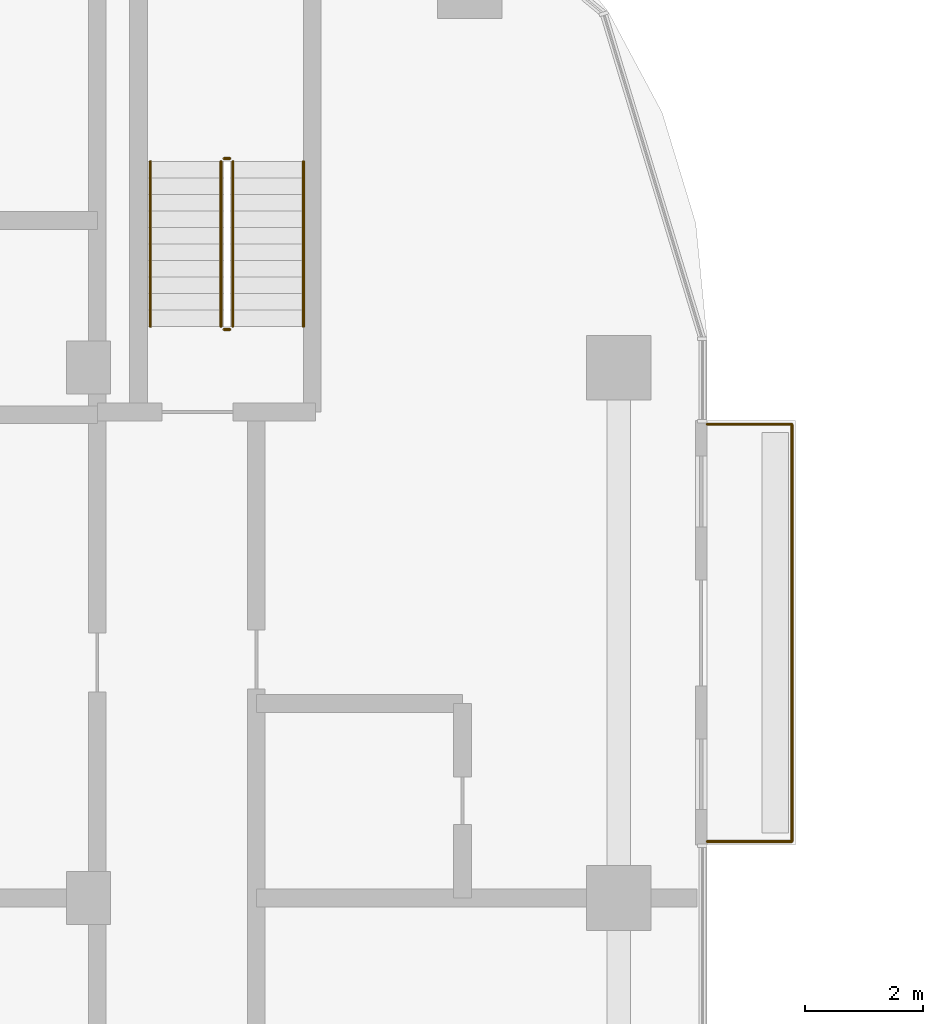
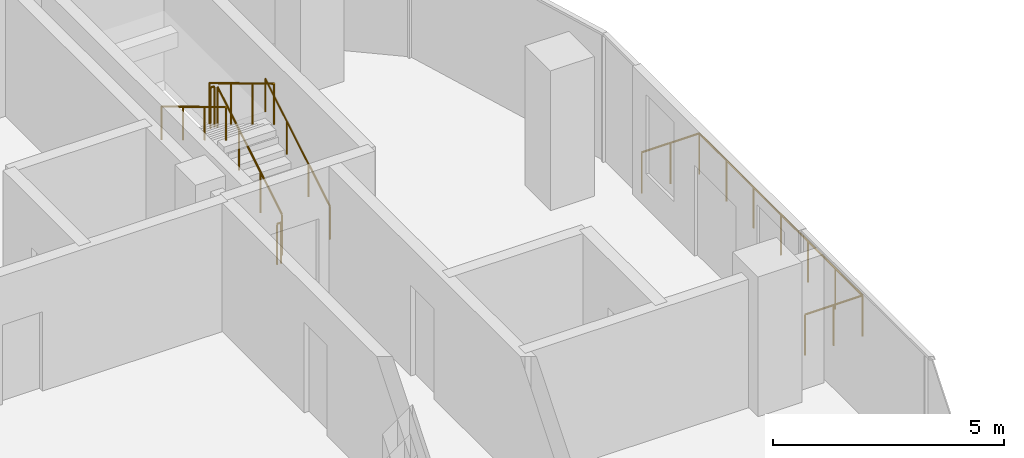
# One storey, part 22 of 22: 7 railings.
"""IFC4 building model written with IfcOpenShell, lengths in metres."""

from ifc_helpers import new_model, si_unit, direction, frame, origin, origin_2d, place, context, subcontext, project, spatial, circle, extrude, material, type_object, element, save


model = new_model("IFC4")

# Units and contexts
model_context = context("Model", 3, precision=1e-05, world=origin(), true_north=direction((0.0, 1.0)))
body_context = subcontext(model_context, "Body", "Model", "MODEL_VIEW")
ifc_project = project(units=[si_unit("LENGTHUNIT", "METRE"), si_unit("AREAUNIT", "SQUARE_METRE"), si_unit("VOLUMEUNIT", "CUBIC_METRE"), si_unit("PLANEANGLEUNIT", "RADIAN"), si_unit("MASSUNIT", "GRAM", prefix="KILO")], contexts=[model_context])

# Site, building, storey
site_placement = place(None, origin())
site = spatial("IfcSite", under=ifc_project, at=site_placement, CompositionType="ELEMENT")
building_placement = place(site_placement, origin())
building = spatial("IfcBuilding", under=site, at=building_placement, Name="Ogive Portal Towers", CompositionType="ELEMENT")
storey_placement = place(building_placement, frame((0.0, 0.0, 145.89990234375)))
storey = spatial("IfcBuildingStorey", under=building, at=storey_placement, Name="L35", CompositionType="ELEMENT", Elevation=145.89990234375)

# Railings
ifc_material_1 = material(Name="Steel S355", Category="steel")
railing_type_1 = type_object("IfcRailingType", Name="BALUSTRADE GLASS 1100", PredefinedType="BALUSTRADE", material=ifc_material_1)
railing_1_placement = place(storey_placement, frame((51.0, 58.4599609375, 0.0)))
element("IfcRailing", 1, at=railing_1_placement, inside=storey, type_object=railing_type_1, Name="A:L35:bal:S2:rail", PredefinedType="BALUSTRADE", context=body_context, shape_type="SweptSolid", body=[
    extrude(circle(Radius=0.02392578125, at=origin_2d()), frame((0.0, 0.0, 1.076171875), z_axis=(1.0, 0.0, 0.0), x_axis=(0.0, 1.0, 0.0)), (0.0, 0.0, 1.0), 1.43994140625),
    extrude(circle(Radius=0.02392578125, at=origin_2d()), frame((1.43994140625, 0.0, 1.076171875), z_axis=(0.0, 1.0, 0.0), x_axis=(-1.0, 0.0, 0.0)), (0.0, 0.0, 1.0), 7.080078125),
    extrude(circle(Radius=0.02392578125, at=origin_2d()), frame((1.43994140625, 7.080078125, 1.076171875), z_axis=(-1.0, 0.0, 0.0), x_axis=(0.0, -1.0, 0.0)), (0.0, 0.0, 1.0), 1.43994140625),
    extrude(circle(Radius=0.02099609375, at=origin_2d()), origin(), (0.0, 0.0, 1.0), 1.052001953125),
    extrude(circle(Radius=0.02099609375, at=origin_2d()), frame((0.719970703125, 0.0, 0.0)), (0.0, 0.0, 1.0), 1.052001953125),
    extrude(circle(Radius=0.02099609375, at=origin_2d()), frame((1.43994140625, 0.0, 0.0)), (0.0, 0.0, 1.0), 1.052001953125),
    extrude(circle(Radius=0.02099609375, at=origin_2d()), frame((1.43994140625, 1.179931640625, 0.0)), (0.0, 0.0, 1.0), 1.052001953125),
    extrude(circle(Radius=0.02099609375, at=origin_2d()), frame((1.43994140625, 2.360107421875, 0.0)), (0.0, 0.0, 1.0), 1.052001953125),
    extrude(circle(Radius=0.02099609375, at=origin_2d()), frame((1.43994140625, 3.5400390625, 0.0)), (0.0, 0.0, 1.0), 1.052001953125),
    extrude(circle(Radius=0.02099609375, at=origin_2d()), frame((1.43994140625, 4.719970703125, 0.0)), (0.0, 0.0, 1.0), 1.052001953125),
    extrude(circle(Radius=0.02099609375, at=origin_2d()), frame((1.43994140625, 5.900146484375, 0.0)), (0.0, 0.0, 1.0), 1.052001953125),
    extrude(circle(Radius=0.02099609375, at=origin_2d()), frame((1.43994140625, 7.080078125, 0.0)), (0.0, 0.0, 1.0), 1.052001953125),
    extrude(circle(Radius=0.02099609375, at=origin_2d()), frame((0.719970703125, 7.080078125, 0.0)), (0.0, 0.0, 1.0), 1.052001953125),
    extrude(circle(Radius=0.02099609375, at=origin_2d()), frame((0.0, 7.080078125, 0.0)), (0.0, 0.0, 1.0), 1.052001953125),
])
ifc_material_2 = material(Name="Stainless steel balustrade", Category="steel")
railing_type_2 = type_object("IfcRailingType", Name="INT-GUARD", PredefinedType="GUARDRAIL", material=ifc_material_2)
railing_2_placement = place(storey_placement, frame((42.949951171875, 67.199951171875, 0.168212890625)))
element("IfcRailing", 2, at=railing_2_placement, inside=storey, type_object=railing_type_2, Name="L35 ST-A3 stair guard 1", PredefinedType="GUARDRAIL", context=body_context, shape_type="SweptSolid", body=[
    extrude(circle(Radius=0.02392578125, at=origin_2d()), frame((0.0, 0.0, 1.076171875), z_axis=(0.0, 0.857242210791, 0.514913383045), x_axis=(-1.0, 0.0, 0.0)), (0.0, 0.0, 1.0), 3.266357421875),
    extrude(circle(Radius=0.02099609375, at=origin_2d()), origin(), (0.0, 0.0, 1.0), 1.052001953125),
    extrude(circle(Radius=0.02099609375, at=origin_2d()), frame((0.0, 0.933349609375, 0.560546875)), (0.0, 0.0, 1.0), 1.052001953125),
    extrude(circle(Radius=0.02099609375, at=origin_2d()), frame((0.0, 1.86669921875, 1.121337890625)), (0.0, 0.0, 1.0), 1.052001953125),
    extrude(circle(Radius=0.02099609375, at=origin_2d()), frame((0.0, 2.800048828125, 1.681884765625)), (0.0, 0.0, 1.0), 1.052001953125),
])
railing_3_placement = place(storey_placement, frame((42.89990234375, 70.050048828125, 1.85009765625)))
element("IfcRailing", 3, at=railing_3_placement, inside=storey, type_object=railing_type_2, Name="L35 ST-A3 stair guard 2", PredefinedType="GUARDRAIL", context=body_context, shape_type="SweptSolid", body=[
    extrude(circle(Radius=0.02392578125, at=origin_2d()), frame((0.0, 0.0, 1.076171875), z_axis=(-1.0, 0.0, 0.0), x_axis=(0.0, -1.0, 0.0)), (0.0, 0.0, 1.0), 0.099853515625),
    extrude(circle(Radius=0.02099609375, at=origin_2d()), origin(), (0.0, 0.0, 1.0), 1.052001953125),
    extrude(circle(Radius=0.02099609375, at=origin_2d()), frame((-0.099853515625, 0.0, 0.0)), (0.0, 0.0, 1.0), 1.052001953125),
])
railing_4_placement = place(storey_placement, frame((42.75, 70.0, 2.018310546875)))
element("IfcRailing", 4, at=railing_4_placement, inside=storey, type_object=railing_type_2, Name="L35 ST-A3 stair guard 3", PredefinedType="GUARDRAIL", context=body_context, shape_type="SweptSolid", body=[
    extrude(circle(Radius=0.02392578125, at=origin_2d()), frame((0.0, 0.0, 1.076171875), z_axis=(0.0, -0.857242210791, 0.514913383045), x_axis=(1.0, 0.0, 0.0)), (0.0, 0.0, 1.0), 3.266357421875),
    extrude(circle(Radius=0.02099609375, at=origin_2d()), origin(), (0.0, 0.0, 1.0), 1.052001953125),
    extrude(circle(Radius=0.02099609375, at=origin_2d()), frame((0.0, -0.933349609375, 0.560546875)), (0.0, 0.0, 1.0), 1.052001953125),
    extrude(circle(Radius=0.02099609375, at=origin_2d()), frame((0.0, -1.86669921875, 1.121337890625)), (0.0, 0.0, 1.0), 1.052001953125),
    extrude(circle(Radius=0.02099609375, at=origin_2d()), frame((0.0, -2.800048828125, 1.681884765625)), (0.0, 0.0, 1.0), 1.052001953125),
])
railing_5_placement = place(storey_placement, frame((42.89990234375, 67.14990234375, 0.0)))
element("IfcRailing", 5, at=railing_5_placement, inside=storey, type_object=railing_type_2, Name="L35 ST-A3 stair guard 4", PredefinedType="GUARDRAIL", context=body_context, shape_type="SweptSolid", body=[
    extrude(circle(Radius=0.02392578125, at=origin_2d()), frame((0.0, 0.0, 1.076171875), z_axis=(-1.0, 0.0, 0.0), x_axis=(0.0, -1.0, 0.0)), (0.0, 0.0, 1.0), 0.099853515625),
    extrude(circle(Radius=0.02099609375, at=origin_2d()), origin(), (0.0, 0.0, 1.0), 1.052001953125),
    extrude(circle(Radius=0.02099609375, at=origin_2d()), frame((-0.099853515625, 0.0, 0.0)), (0.0, 0.0, 1.0), 1.052001953125),
])
ifc_material_3 = material(Name="Stainless steel handrail", Category="steel")
railing_type_3 = type_object("IfcRailingType", Name="INT-HANDRAIL", PredefinedType="HANDRAIL", material=ifc_material_3)
railing_6_placement = place(storey_placement, frame((44.14990234375, 67.199951171875, 0.168212890625)))
element("IfcRailing", 6, at=railing_6_placement, inside=storey, type_object=railing_type_3, Name="L35 ST-A3 stair handrail 1", PredefinedType="HANDRAIL", context=body_context, shape_type="SweptSolid", body=[
    extrude(circle(Radius=0.02392578125, at=origin_2d()), frame((0.0, 0.0, 0.8759765625), z_axis=(0.0, 0.857242210791, 0.514913383045), x_axis=(-1.0, 0.0, 0.0)), (0.0, 0.0, 1.0), 3.266357421875),
    extrude(circle(Radius=0.02099609375, at=origin_2d()), origin(), (0.0, 0.0, 1.0), 0.851806640625),
    extrude(circle(Radius=0.02099609375, at=origin_2d()), frame((0.0, 0.933349609375, 0.560546875)), (0.0, 0.0, 1.0), 0.851806640625),
    extrude(circle(Radius=0.02099609375, at=origin_2d()), frame((0.0, 1.86669921875, 1.121337890625)), (0.0, 0.0, 1.0), 0.851806640625),
    extrude(circle(Radius=0.02099609375, at=origin_2d()), frame((0.0, 2.800048828125, 1.681884765625)), (0.0, 0.0, 1.0), 0.851806640625),
])
railing_7_placement = place(storey_placement, frame((41.550048828125, 70.0, 2.018310546875)))
element("IfcRailing", 7, at=railing_7_placement, inside=storey, type_object=railing_type_3, Name="L35 ST-A3 stair handrail 2", PredefinedType="HANDRAIL", context=body_context, shape_type="SweptSolid", body=[
    extrude(circle(Radius=0.02392578125, at=origin_2d()), frame((0.0, 0.0, 0.8759765625), z_axis=(0.0, -0.857242210791, 0.514913383045), x_axis=(1.0, 0.0, 0.0)), (0.0, 0.0, 1.0), 3.266357421875),
    extrude(circle(Radius=0.02099609375, at=origin_2d()), origin(), (0.0, 0.0, 1.0), 0.851806640625),
    extrude(circle(Radius=0.02099609375, at=origin_2d()), frame((0.0, -0.933349609375, 0.560546875)), (0.0, 0.0, 1.0), 0.851806640625),
    extrude(circle(Radius=0.02099609375, at=origin_2d()), frame((0.0, -1.86669921875, 1.121337890625)), (0.0, 0.0, 1.0), 0.851806640625),
    extrude(circle(Radius=0.02099609375, at=origin_2d()), frame((0.0, -2.800048828125, 1.681884765625)), (0.0, 0.0, 1.0), 0.851806640625),
])

save(model, "model.ifc")
